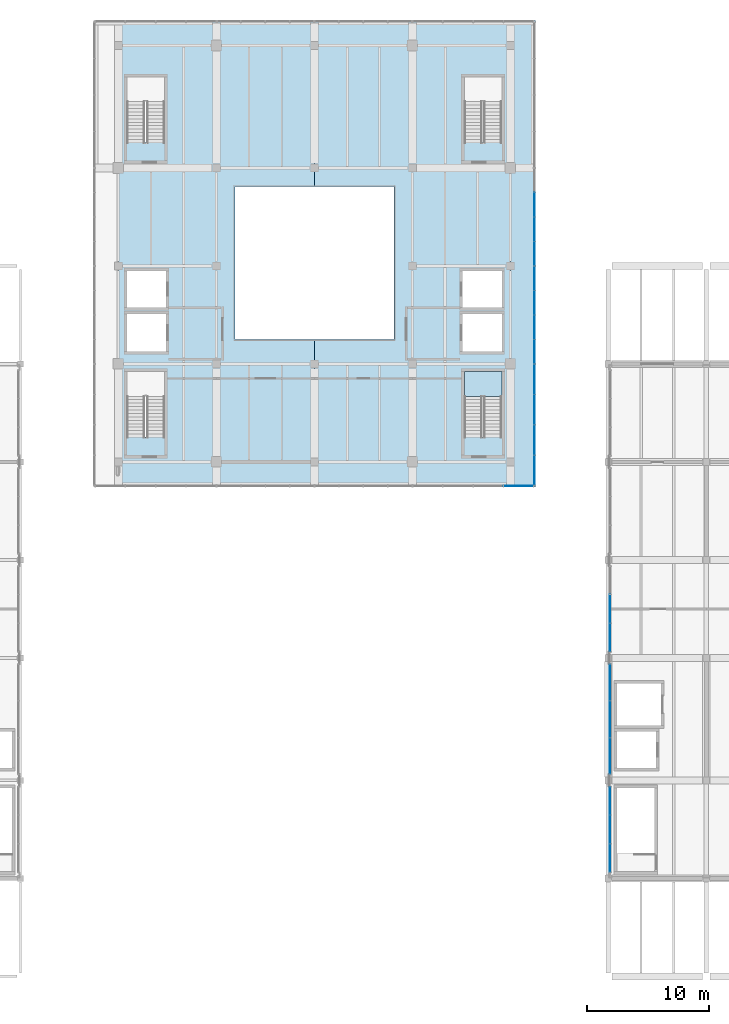
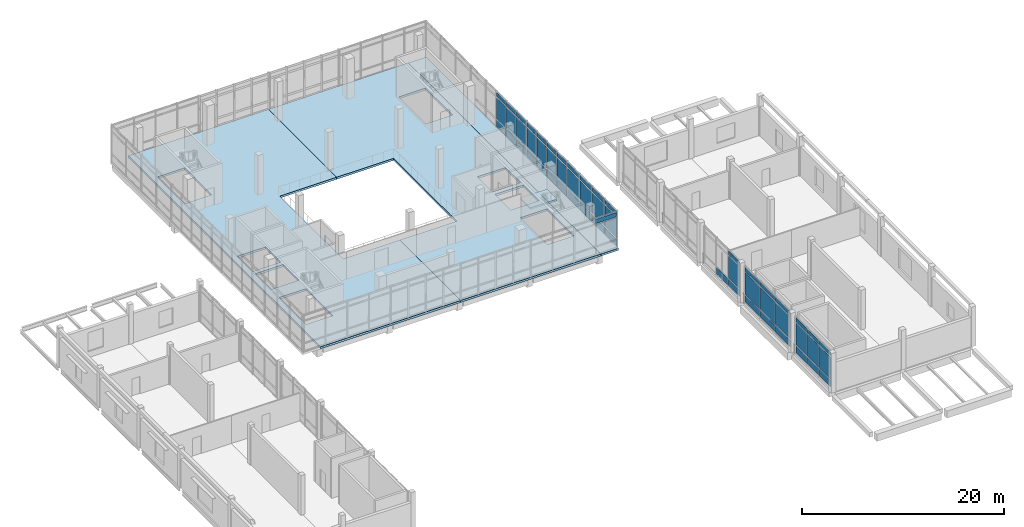
# One storey, part 17 of 28: 56 plates, 4 slabs, 8 elements without a shape of their own.
"""IFC4 building model written with IfcOpenShell, lengths in metres."""

from ifc_helpers import new_model, si_unit, direction, frame, origin, origin_2d, place, context, subcontext, project, spatial, polyline, rectangle, outline, extrude, material, layer, layer_set, type_object, element, aggregate, save


model = new_model("IFC4")

# Units and contexts
model_context = context("Model", 3, precision=1e-05, world=origin(), true_north=direction((0.0, 1.0)))
body_context = subcontext(model_context, "Body", "Model", "MODEL_VIEW")
ifc_project = project(units=[si_unit("LENGTHUNIT", "METRE"), si_unit("AREAUNIT", "SQUARE_METRE"), si_unit("VOLUMEUNIT", "CUBIC_METRE"), si_unit("PLANEANGLEUNIT", "RADIAN"), si_unit("MASSUNIT", "GRAM", prefix="KILO")], contexts=[model_context])

# Site, building, storey
site_placement = place(None, origin())
site = spatial("IfcSite", under=ifc_project, at=site_placement, CompositionType="ELEMENT")
building_placement = place(site_placement, origin())
building = spatial("IfcBuilding", under=site, at=building_placement, Name="Pecanmere Concourse Central Library", CompositionType="ELEMENT")
storey_placement = place(building_placement, frame((0.0, 0.0, 20.10009765625)))
storey = spatial("IfcBuildingStorey", under=building, at=storey_placement, Name="L05", CompositionType="ELEMENT", Elevation=20.10009765625)

# Curtain wall, plates
ifc_material_1 = material(Name="Anodized bronze aluminium alloy 6063-T6", Category="aluminium")
curtain_wall_type_1 = type_object("IfcCurtainWallType", Name="CW_PLUMB_BANDED", PredefinedType="USERDEFINED", material=ifc_material_1)
curtain_wall_1_placement = place(storey_placement, origin())
curtain_wall_1 = element("IfcCurtainWall", 1, at=curtain_wall_1_placement, inside=storey, type_object=curtain_wall_type_1, Name="Unitised Curtain Wall CW-02 L05-062", ObjectType="UNITISED CURTAIN WALL", PredefinedType="USERDEFINED")
ifc_material_2 = material(Name="White ceramic-fritted insulated spandrel glazing", Category="glass")
ifc_layer_1 = layer(ifc_material_2, 0.053955078125, Name="CWP_SPN_54")
ifc_layer_set_1 = layer_set([ifc_layer_1], Name="White ceramic-fritted insulated spandrel glazing")
plate_type_1 = type_object("IfcPlateType", Name="CWP_SPN_54", PredefinedType="CURTAIN_PANEL", material=ifc_layer_set_1)
plate_1_placement = place(storey_placement, frame((105.96142578125, 89.334228515625, 0.159912109375), z_axis=(0.0, 0.0, 1.0), x_axis=(0.0, 1.0, 0.0)))
plate_1 = element("IfcPlate", 2, at=plate_1_placement, type_object=plate_type_1, Name="CW-02 Spandrel Panel 1.1", PredefinedType="CURTAIN_PANEL", context=body_context, shape_type="SweptSolid", body=[
    extrude(rectangle(XDim=2.381591796875, YDim=0.035888671875, at=origin_2d()), origin(), (0.0, 0.0, 1.0), 0.81005859375),
])
plate_2_placement = place(storey_placement, frame((105.96142578125, 91.797119140625, 0.159912109375), z_axis=(0.0, 0.0, 1.0), x_axis=(0.0, 1.0, 0.0)))
plate_2 = element("IfcPlate", 3, at=plate_2_placement, type_object=plate_type_1, Name="CW-02 Spandrel Panel 2.1", PredefinedType="CURTAIN_PANEL", context=body_context, shape_type="SweptSolid", body=[
    extrude(rectangle(XDim=2.4140625, YDim=0.035888671875, at=origin_2d()), origin(), (0.0, 0.0, 1.0), 0.81005859375),
])
plate_3_placement = place(storey_placement, frame((105.96142578125, 94.2763671875, 0.159912109375), z_axis=(0.0, 0.0, 1.0), x_axis=(0.0, 1.0, 0.0)))
plate_3 = element("IfcPlate", 4, at=plate_3_placement, type_object=plate_type_1, Name="CW-02 Spandrel Panel 3.1", PredefinedType="CURTAIN_PANEL", context=body_context, shape_type="SweptSolid", body=[
    extrude(rectangle(XDim=2.4140625, YDim=0.035888671875, at=origin_2d()), origin(), (0.0, 0.0, 1.0), 0.81005859375),
])
plate_4_placement = place(storey_placement, frame((105.96142578125, 96.7392578125, 0.159912109375), z_axis=(0.0, 0.0, 1.0), x_axis=(0.0, 1.0, 0.0)))
plate_4 = element("IfcPlate", 5, at=plate_4_placement, type_object=plate_type_1, Name="CW-02 Spandrel Panel 4.1", PredefinedType="CURTAIN_PANEL", context=body_context, shape_type="SweptSolid", body=[
    extrude(rectangle(XDim=2.381591796875, YDim=0.035888671875, at=origin_2d()), origin(), (0.0, 0.0, 1.0), 0.81005859375),
])

curtain_wall_2_placement = place(storey_placement, origin())
curtain_wall_2 = element("IfcCurtainWall", 6, at=curtain_wall_2_placement, inside=storey, type_object=curtain_wall_type_1, Name="Unitised Curtain Wall CW-02 L05-063", ObjectType="UNITISED CURTAIN WALL", PredefinedType="USERDEFINED")
plate_5_placement = place(storey_placement, frame((105.96142578125, 99.02001953125, 0.159912109375), z_axis=(0.0, 0.0, 1.0), x_axis=(0.0, 1.0, 0.0)))
plate_5 = element("IfcPlate", 7, at=plate_5_placement, type_object=plate_type_1, Name="CW-02 Spandrel Panel 1.1", PredefinedType="CURTAIN_PANEL", context=body_context, shape_type="SweptSolid", body=[
    extrude(rectangle(XDim=1.89990234375, YDim=0.035888671875, at=origin_2d()), origin(), (0.0, 0.0, 1.0), 0.81005859375),
])
plate_6_placement = place(storey_placement, frame((105.96142578125, 101.001220703125, 0.159912109375), z_axis=(0.0, 0.0, 1.0), x_axis=(0.0, 1.0, 0.0)))
plate_6 = element("IfcPlate", 8, at=plate_6_placement, type_object=plate_type_1, Name="CW-02 Spandrel Panel 2.1", PredefinedType="CURTAIN_PANEL", context=body_context, shape_type="SweptSolid", body=[
    extrude(rectangle(XDim=1.9326171875, YDim=0.035888671875, at=origin_2d()), origin(), (0.0, 0.0, 1.0), 0.81005859375),
])
plate_7_placement = place(storey_placement, frame((105.96142578125, 102.998779296875, 0.159912109375), z_axis=(0.0, 0.0, 1.0), x_axis=(0.0, 1.0, 0.0)))
plate_7 = element("IfcPlate", 9, at=plate_7_placement, type_object=plate_type_1, Name="CW-02 Spandrel Panel 3.1", PredefinedType="CURTAIN_PANEL", context=body_context, shape_type="SweptSolid", body=[
    extrude(rectangle(XDim=1.9326171875, YDim=0.035888671875, at=origin_2d()), origin(), (0.0, 0.0, 1.0), 0.81005859375),
])
plate_8_placement = place(storey_placement, frame((105.96142578125, 104.97998046875, 0.159912109375), z_axis=(0.0, 0.0, 1.0), x_axis=(0.0, 1.0, 0.0)))
plate_8 = element("IfcPlate", 10, at=plate_8_placement, type_object=plate_type_1, Name="CW-02 Spandrel Panel 4.1", PredefinedType="CURTAIN_PANEL", context=body_context, shape_type="SweptSolid", body=[
    extrude(rectangle(XDim=1.89990234375, YDim=0.035888671875, at=origin_2d()), origin(), (0.0, 0.0, 1.0), 0.81005859375),
])

curtain_wall_3_placement = place(storey_placement, origin())
curtain_wall_3 = element("IfcCurtainWall", 11, at=curtain_wall_3_placement, inside=storey, type_object=curtain_wall_type_1, Name="Unitised Curtain Wall CW-02 L05-064", ObjectType="UNITISED CURTAIN WALL", PredefinedType="USERDEFINED")
plate_9_placement = place(storey_placement, frame((105.96142578125, 107.02001953125, 0.159912109375), z_axis=(0.0, 0.0, 1.0), x_axis=(0.0, 1.0, 0.0)))
plate_9 = element("IfcPlate", 12, at=plate_9_placement, type_object=plate_type_1, Name="CW-02 Spandrel Panel 1.1", PredefinedType="CURTAIN_PANEL", context=body_context, shape_type="SweptSolid", body=[
    extrude(rectangle(XDim=1.89990234375, YDim=0.035888671875, at=origin_2d()), origin(), (0.0, 0.0, 1.0), 0.81005859375),
])
plate_10_placement = place(storey_placement, frame((105.96142578125, 109.001220703125, 0.159912109375), z_axis=(0.0, 0.0, 1.0), x_axis=(0.0, 1.0, 0.0)))
plate_10 = element("IfcPlate", 13, at=plate_10_placement, type_object=plate_type_1, Name="CW-02 Spandrel Panel 2.1", PredefinedType="CURTAIN_PANEL", context=body_context, shape_type="SweptSolid", body=[
    extrude(rectangle(XDim=1.9326171875, YDim=0.035888671875, at=origin_2d()), origin(), (0.0, 0.0, 1.0), 0.81005859375),
])
plate_11_placement = place(storey_placement, frame((105.96142578125, 110.998779296875, 0.159912109375), z_axis=(0.0, 0.0, 1.0), x_axis=(0.0, 1.0, 0.0)))
plate_11 = element("IfcPlate", 14, at=plate_11_placement, type_object=plate_type_1, Name="CW-02 Spandrel Panel 3.1", PredefinedType="CURTAIN_PANEL", context=body_context, shape_type="SweptSolid", body=[
    extrude(rectangle(XDim=1.9326171875, YDim=0.035888671875, at=origin_2d()), origin(), (0.0, 0.0, 1.0), 0.81005859375),
])

ifc_material_3 = material(Name="Clear anodized aluminium alloy 6063-T6", Category="aluminium")
curtain_wall_type_2 = type_object("IfcCurtainWallType", Name="CW_CLOISTER_GLAZ", PredefinedType="USERDEFINED", material=ifc_material_3)
curtain_wall_4_placement = place(storey_placement, origin())
curtain_wall_4 = element("IfcCurtainWall", 15, at=curtain_wall_4_placement, inside=storey, type_object=curtain_wall_type_2, Name="Unitised Curtain Wall CW-04 L05-153", ObjectType="UNITISED CURTAIN WALL", PredefinedType="USERDEFINED")
plate_12_placement = place(storey_placement, frame((112.14990234375, 62.331787109375, 0.139892578125), z_axis=(0.0, 0.0, 1.0), x_axis=(0.0, -1.0, 0.0)))
plate_12 = element("IfcPlate", 16, at=plate_12_placement, type_object=plate_type_1, Name="CW-04 Spandrel Panel 1.1", PredefinedType="CURTAIN_PANEL", context=body_context, shape_type="SweptSolid", body=[
    extrude(rectangle(XDim=2.256591796875, YDim=0.035888671875, at=origin_2d()), origin(), (0.0, 0.0, 1.0), 0.7900390625),
])
plate_13_placement = place(storey_placement, frame((112.14990234375, 60.0, 0.139892578125), z_axis=(0.0, 0.0, 1.0), x_axis=(0.0, -1.0, 0.0)))
plate_13 = element("IfcPlate", 17, at=plate_13_placement, type_object=plate_type_1, Name="CW-04 Spandrel Panel 2.1", PredefinedType="CURTAIN_PANEL", context=body_context, shape_type="SweptSolid", body=[
    extrude(rectangle(XDim=2.28662109375, YDim=0.035888671875, at=origin_2d()), origin(), (0.0, 0.0, 1.0), 0.7900390625),
])
plate_14_placement = place(storey_placement, frame((112.14990234375, 57.668212890625, 0.139892578125), z_axis=(0.0, 0.0, 1.0), x_axis=(0.0, -1.0, 0.0)))
plate_14 = element("IfcPlate", 18, at=plate_14_placement, type_object=plate_type_1, Name="CW-04 Spandrel Panel 3.1", PredefinedType="CURTAIN_PANEL", context=body_context, shape_type="SweptSolid", body=[
    extrude(rectangle(XDim=2.256591796875, YDim=0.035888671875, at=origin_2d()), origin(), (0.0, 0.0, 1.0), 0.7900390625),
])

curtain_wall_5_placement = place(storey_placement, origin())
curtain_wall_5 = element("IfcCurtainWall", 19, at=curtain_wall_5_placement, inside=storey, type_object=curtain_wall_type_2, Name="Unitised Curtain Wall CW-04 L05-155", ObjectType="UNITISED CURTAIN WALL", PredefinedType="USERDEFINED")
plate_15_placement = place(storey_placement, frame((112.14990234375, 71.998291015625, 0.139892578125), z_axis=(0.0, 0.0, 1.0), x_axis=(0.0, -1.0, 0.0)))
plate_15 = element("IfcPlate", 20, at=plate_15_placement, type_object=plate_type_1, Name="CW-04 Spandrel Panel 1.1", PredefinedType="CURTAIN_PANEL", context=body_context, shape_type="SweptSolid", body=[
    extrude(rectangle(XDim=2.92333984375, YDim=0.035888671875, at=origin_2d()), origin(), (0.0, 0.0, 1.0), 0.7900390625),
])
plate_16_placement = place(storey_placement, frame((112.14990234375, 69.0, 0.139892578125), z_axis=(0.0, 0.0, 1.0), x_axis=(0.0, -1.0, 0.0)))
plate_16 = element("IfcPlate", 21, at=plate_16_placement, type_object=plate_type_1, Name="CW-04 Spandrel Panel 2.1", PredefinedType="CURTAIN_PANEL", context=body_context, shape_type="SweptSolid", body=[
    extrude(rectangle(XDim=2.953369140625, YDim=0.035888671875, at=origin_2d()), origin(), (0.0, 0.0, 1.0), 0.7900390625),
])
plate_17_placement = place(storey_placement, frame((112.14990234375, 66.001708984375, 0.139892578125), z_axis=(0.0, 0.0, 1.0), x_axis=(0.0, -1.0, 0.0)))
plate_17 = element("IfcPlate", 22, at=plate_17_placement, type_object=plate_type_1, Name="CW-04 Spandrel Panel 3.1", PredefinedType="CURTAIN_PANEL", context=body_context, shape_type="SweptSolid", body=[
    extrude(rectangle(XDim=2.92333984375, YDim=0.035888671875, at=origin_2d()), origin(), (0.0, 0.0, 1.0), 0.7900390625),
])

curtain_wall_6_placement = place(storey_placement, origin())
curtain_wall_6 = element("IfcCurtainWall", 23, at=curtain_wall_6_placement, inside=storey, type_object=curtain_wall_type_2, Name="Unitised Curtain Wall CW-04 L05-157", ObjectType="UNITISED CURTAIN WALL", PredefinedType="USERDEFINED")
plate_18_placement = place(storey_placement, frame((112.14990234375, 78.0, 0.139892578125), z_axis=(0.0, 0.0, 1.0), x_axis=(0.0, -1.0, 0.0)))
plate_18 = element("IfcPlate", 24, at=plate_18_placement, type_object=plate_type_1, Name="CW-04 Spandrel Panel 2.1", PredefinedType="CURTAIN_PANEL", context=body_context, shape_type="SweptSolid", body=[
    extrude(rectangle(XDim=2.28662109375, YDim=0.035888671875, at=origin_2d()), origin(), (0.0, 0.0, 1.0), 0.7900390625),
])
plate_19_placement = place(storey_placement, frame((112.14990234375, 75.668212890625, 0.139892578125), z_axis=(0.0, 0.0, 1.0), x_axis=(0.0, -1.0, 0.0)))
plate_19 = element("IfcPlate", 25, at=plate_19_placement, type_object=plate_type_1, Name="CW-04 Spandrel Panel 3.1", PredefinedType="CURTAIN_PANEL", context=body_context, shape_type="SweptSolid", body=[
    extrude(rectangle(XDim=2.256591796875, YDim=0.035888671875, at=origin_2d()), origin(), (0.0, 0.0, 1.0), 0.7900390625),
])

# Curtain wall, plate
curtain_wall_7_placement = place(storey_placement, origin())
curtain_wall_7 = element("IfcCurtainWall", 26, at=curtain_wall_7_placement, inside=storey, type_object=curtain_wall_type_1, Name="Unitised Curtain Wall CW-02 L05-061", ObjectType="UNITISED CURTAIN WALL", PredefinedType="USERDEFINED")
ifc_material_4 = material(Name="Low-iron clear insulated glazing", Category="glass")
ifc_layer_2 = layer(ifc_material_4, 0.035888671875, Name="CWP_VIS_36")
ifc_layer_set_2 = layer_set([ifc_layer_2], Name="Low-iron clear insulated glazing")
plate_type_2 = type_object("IfcPlateType", Name="CWP_VIS_36", PredefinedType="CURTAIN_PANEL", material=ifc_layer_set_2)
plate_20_placement = place(storey_placement, frame((104.665771484375, 88.03857421875, 3.830078125), z_axis=(0.0, 0.0, 1.0), x_axis=(1.0, 0.0, 0.0)))
plate_20 = element("IfcPlate", 27, at=plate_20_placement, type_object=plate_type_2, Name="CW-02 Vision Panel 4.3", PredefinedType="CURTAIN_PANEL", context=body_context, shape_type="SweptSolid", body=[
    extrude(rectangle(XDim=2.381591796875, YDim=0.035888671875, at=origin_2d()), origin(), (0.0, 0.0, 1.0), 0.510009765625),
])
aggregate(curtain_wall_7, [plate_20])

# Plate
plate_21_placement = place(storey_placement, frame((105.96142578125, 89.334228515625, 1.1298828125), z_axis=(0.0, 0.0, 1.0), x_axis=(0.0, 1.0, 0.0)))
plate_21 = element("IfcPlate", 28, at=plate_21_placement, type_object=plate_type_2, Name="CW-02 Vision Panel 1.2", PredefinedType="CURTAIN_PANEL", context=body_context, shape_type="SweptSolid", body=[
    extrude(rectangle(XDim=2.381591796875, YDim=0.035888671875, at=origin_2d()), origin(), (0.0, 0.0, 1.0), 2.5400390625),
])

plate_22_placement = place(storey_placement, frame((105.96142578125, 89.334228515625, 3.830078125), z_axis=(0.0, 0.0, 1.0), x_axis=(0.0, 1.0, 0.0)))
plate_22 = element("IfcPlate", 29, at=plate_22_placement, type_object=plate_type_2, Name="CW-02 Vision Panel 1.3", PredefinedType="CURTAIN_PANEL", context=body_context, shape_type="SweptSolid", body=[
    extrude(rectangle(XDim=2.381591796875, YDim=0.035888671875, at=origin_2d()), origin(), (0.0, 0.0, 1.0), 0.510009765625),
])

plate_23_placement = place(storey_placement, frame((105.96142578125, 91.797119140625, 1.1298828125), z_axis=(0.0, 0.0, 1.0), x_axis=(0.0, 1.0, 0.0)))
plate_23 = element("IfcPlate", 30, at=plate_23_placement, type_object=plate_type_2, Name="CW-02 Vision Panel 2.2", PredefinedType="CURTAIN_PANEL", context=body_context, shape_type="SweptSolid", body=[
    extrude(rectangle(XDim=2.4140625, YDim=0.035888671875, at=origin_2d()), origin(), (0.0, 0.0, 1.0), 2.5400390625),
])

plate_24_placement = place(storey_placement, frame((105.96142578125, 91.797119140625, 3.830078125), z_axis=(0.0, 0.0, 1.0), x_axis=(0.0, 1.0, 0.0)))
plate_24 = element("IfcPlate", 31, at=plate_24_placement, type_object=plate_type_2, Name="CW-02 Vision Panel 2.3", PredefinedType="CURTAIN_PANEL", context=body_context, shape_type="SweptSolid", body=[
    extrude(rectangle(XDim=2.4140625, YDim=0.035888671875, at=origin_2d()), origin(), (0.0, 0.0, 1.0), 0.510009765625),
])

plate_25_placement = place(storey_placement, frame((105.96142578125, 94.2763671875, 1.1298828125), z_axis=(0.0, 0.0, 1.0), x_axis=(0.0, 1.0, 0.0)))
plate_25 = element("IfcPlate", 32, at=plate_25_placement, type_object=plate_type_2, Name="CW-02 Vision Panel 3.2", PredefinedType="CURTAIN_PANEL", context=body_context, shape_type="SweptSolid", body=[
    extrude(rectangle(XDim=2.4140625, YDim=0.035888671875, at=origin_2d()), origin(), (0.0, 0.0, 1.0), 2.5400390625),
])

plate_26_placement = place(storey_placement, frame((105.96142578125, 94.2763671875, 3.830078125), z_axis=(0.0, 0.0, 1.0), x_axis=(0.0, 1.0, 0.0)))
plate_26 = element("IfcPlate", 33, at=plate_26_placement, type_object=plate_type_2, Name="CW-02 Vision Panel 3.3", PredefinedType="CURTAIN_PANEL", context=body_context, shape_type="SweptSolid", body=[
    extrude(rectangle(XDim=2.4140625, YDim=0.035888671875, at=origin_2d()), origin(), (0.0, 0.0, 1.0), 0.510009765625),
])

plate_27_placement = place(storey_placement, frame((105.96142578125, 96.7392578125, 1.1298828125), z_axis=(0.0, 0.0, 1.0), x_axis=(0.0, 1.0, 0.0)))
plate_27 = element("IfcPlate", 34, at=plate_27_placement, type_object=plate_type_2, Name="CW-02 Vision Panel 4.2", PredefinedType="CURTAIN_PANEL", context=body_context, shape_type="SweptSolid", body=[
    extrude(rectangle(XDim=2.381591796875, YDim=0.035888671875, at=origin_2d()), origin(), (0.0, 0.0, 1.0), 2.5400390625),
])

plate_28_placement = place(storey_placement, frame((105.96142578125, 96.7392578125, 3.830078125), z_axis=(0.0, 0.0, 1.0), x_axis=(0.0, 1.0, 0.0)))
plate_28 = element("IfcPlate", 35, at=plate_28_placement, type_object=plate_type_2, Name="CW-02 Vision Panel 4.3", PredefinedType="CURTAIN_PANEL", context=body_context, shape_type="SweptSolid", body=[
    extrude(rectangle(XDim=2.381591796875, YDim=0.035888671875, at=origin_2d()), origin(), (0.0, 0.0, 1.0), 0.510009765625),
])

aggregate(curtain_wall_1, [plate_1, plate_21, plate_22, plate_2, plate_23, plate_24, plate_3, plate_25, plate_26, plate_4, plate_27, plate_28])

plate_29_placement = place(storey_placement, frame((105.96142578125, 99.02001953125, 1.1298828125), z_axis=(0.0, 0.0, 1.0), x_axis=(0.0, 1.0, 0.0)))
plate_29 = element("IfcPlate", 36, at=plate_29_placement, type_object=plate_type_2, Name="CW-02 Vision Panel 1.2", PredefinedType="CURTAIN_PANEL", context=body_context, shape_type="SweptSolid", body=[
    extrude(rectangle(XDim=1.89990234375, YDim=0.035888671875, at=origin_2d()), origin(), (0.0, 0.0, 1.0), 2.5400390625),
])

plate_30_placement = place(storey_placement, frame((105.96142578125, 99.02001953125, 3.830078125), z_axis=(0.0, 0.0, 1.0), x_axis=(0.0, 1.0, 0.0)))
plate_30 = element("IfcPlate", 37, at=plate_30_placement, type_object=plate_type_2, Name="CW-02 Vision Panel 1.3", PredefinedType="CURTAIN_PANEL", context=body_context, shape_type="SweptSolid", body=[
    extrude(rectangle(XDim=1.89990234375, YDim=0.035888671875, at=origin_2d()), origin(), (0.0, 0.0, 1.0), 0.510009765625),
])

plate_31_placement = place(storey_placement, frame((105.96142578125, 101.001220703125, 1.1298828125), z_axis=(0.0, 0.0, 1.0), x_axis=(0.0, 1.0, 0.0)))
plate_31 = element("IfcPlate", 38, at=plate_31_placement, type_object=plate_type_2, Name="CW-02 Vision Panel 2.2", PredefinedType="CURTAIN_PANEL", context=body_context, shape_type="SweptSolid", body=[
    extrude(rectangle(XDim=1.9326171875, YDim=0.035888671875, at=origin_2d()), origin(), (0.0, 0.0, 1.0), 2.5400390625),
])

plate_32_placement = place(storey_placement, frame((105.96142578125, 101.001220703125, 3.830078125), z_axis=(0.0, 0.0, 1.0), x_axis=(0.0, 1.0, 0.0)))
plate_32 = element("IfcPlate", 39, at=plate_32_placement, type_object=plate_type_2, Name="CW-02 Vision Panel 2.3", PredefinedType="CURTAIN_PANEL", context=body_context, shape_type="SweptSolid", body=[
    extrude(rectangle(XDim=1.9326171875, YDim=0.035888671875, at=origin_2d()), origin(), (0.0, 0.0, 1.0), 0.510009765625),
])

plate_33_placement = place(storey_placement, frame((105.96142578125, 102.998779296875, 1.1298828125), z_axis=(0.0, 0.0, 1.0), x_axis=(0.0, 1.0, 0.0)))
plate_33 = element("IfcPlate", 40, at=plate_33_placement, type_object=plate_type_2, Name="CW-02 Vision Panel 3.2", PredefinedType="CURTAIN_PANEL", context=body_context, shape_type="SweptSolid", body=[
    extrude(rectangle(XDim=1.9326171875, YDim=0.035888671875, at=origin_2d()), origin(), (0.0, 0.0, 1.0), 2.5400390625),
])

plate_34_placement = place(storey_placement, frame((105.96142578125, 102.998779296875, 3.830078125), z_axis=(0.0, 0.0, 1.0), x_axis=(0.0, 1.0, 0.0)))
plate_34 = element("IfcPlate", 41, at=plate_34_placement, type_object=plate_type_2, Name="CW-02 Vision Panel 3.3", PredefinedType="CURTAIN_PANEL", context=body_context, shape_type="SweptSolid", body=[
    extrude(rectangle(XDim=1.9326171875, YDim=0.035888671875, at=origin_2d()), origin(), (0.0, 0.0, 1.0), 0.510009765625),
])

plate_35_placement = place(storey_placement, frame((105.96142578125, 104.97998046875, 1.1298828125), z_axis=(0.0, 0.0, 1.0), x_axis=(0.0, 1.0, 0.0)))
plate_35 = element("IfcPlate", 42, at=plate_35_placement, type_object=plate_type_2, Name="CW-02 Vision Panel 4.2", PredefinedType="CURTAIN_PANEL", context=body_context, shape_type="SweptSolid", body=[
    extrude(rectangle(XDim=1.89990234375, YDim=0.035888671875, at=origin_2d()), origin(), (0.0, 0.0, 1.0), 2.5400390625),
])

plate_36_placement = place(storey_placement, frame((105.96142578125, 104.97998046875, 3.830078125), z_axis=(0.0, 0.0, 1.0), x_axis=(0.0, 1.0, 0.0)))
plate_36 = element("IfcPlate", 43, at=plate_36_placement, type_object=plate_type_2, Name="CW-02 Vision Panel 4.3", PredefinedType="CURTAIN_PANEL", context=body_context, shape_type="SweptSolid", body=[
    extrude(rectangle(XDim=1.89990234375, YDim=0.035888671875, at=origin_2d()), origin(), (0.0, 0.0, 1.0), 0.510009765625),
])

aggregate(curtain_wall_2, [plate_5, plate_29, plate_30, plate_6, plate_31, plate_32, plate_7, plate_33, plate_34, plate_8, plate_35, plate_36])

plate_37_placement = place(storey_placement, frame((105.96142578125, 107.02001953125, 1.1298828125), z_axis=(0.0, 0.0, 1.0), x_axis=(0.0, 1.0, 0.0)))
plate_37 = element("IfcPlate", 44, at=plate_37_placement, type_object=plate_type_2, Name="CW-02 Vision Panel 1.2", PredefinedType="CURTAIN_PANEL", context=body_context, shape_type="SweptSolid", body=[
    extrude(rectangle(XDim=1.89990234375, YDim=0.035888671875, at=origin_2d()), origin(), (0.0, 0.0, 1.0), 2.5400390625),
])

plate_38_placement = place(storey_placement, frame((105.96142578125, 107.02001953125, 3.830078125), z_axis=(0.0, 0.0, 1.0), x_axis=(0.0, 1.0, 0.0)))
plate_38 = element("IfcPlate", 45, at=plate_38_placement, type_object=plate_type_2, Name="CW-02 Vision Panel 1.3", PredefinedType="CURTAIN_PANEL", context=body_context, shape_type="SweptSolid", body=[
    extrude(rectangle(XDim=1.89990234375, YDim=0.035888671875, at=origin_2d()), origin(), (0.0, 0.0, 1.0), 0.510009765625),
])

plate_39_placement = place(storey_placement, frame((105.96142578125, 109.001220703125, 1.1298828125), z_axis=(0.0, 0.0, 1.0), x_axis=(0.0, 1.0, 0.0)))
plate_39 = element("IfcPlate", 46, at=plate_39_placement, type_object=plate_type_2, Name="CW-02 Vision Panel 2.2", PredefinedType="CURTAIN_PANEL", context=body_context, shape_type="SweptSolid", body=[
    extrude(rectangle(XDim=1.9326171875, YDim=0.035888671875, at=origin_2d()), origin(), (0.0, 0.0, 1.0), 2.5400390625),
])

plate_40_placement = place(storey_placement, frame((105.96142578125, 109.001220703125, 3.830078125), z_axis=(0.0, 0.0, 1.0), x_axis=(0.0, 1.0, 0.0)))
plate_40 = element("IfcPlate", 47, at=plate_40_placement, type_object=plate_type_2, Name="CW-02 Vision Panel 2.3", PredefinedType="CURTAIN_PANEL", context=body_context, shape_type="SweptSolid", body=[
    extrude(rectangle(XDim=1.9326171875, YDim=0.035888671875, at=origin_2d()), origin(), (0.0, 0.0, 1.0), 0.510009765625),
])

plate_41_placement = place(storey_placement, frame((105.96142578125, 110.998779296875, 1.1298828125), z_axis=(0.0, 0.0, 1.0), x_axis=(0.0, 1.0, 0.0)))
plate_41 = element("IfcPlate", 48, at=plate_41_placement, type_object=plate_type_2, Name="CW-02 Vision Panel 3.2", PredefinedType="CURTAIN_PANEL", context=body_context, shape_type="SweptSolid", body=[
    extrude(rectangle(XDim=1.9326171875, YDim=0.035888671875, at=origin_2d()), origin(), (0.0, 0.0, 1.0), 2.5400390625),
])

plate_42_placement = place(storey_placement, frame((105.96142578125, 110.998779296875, 3.830078125), z_axis=(0.0, 0.0, 1.0), x_axis=(0.0, 1.0, 0.0)))
plate_42 = element("IfcPlate", 49, at=plate_42_placement, type_object=plate_type_2, Name="CW-02 Vision Panel 3.3", PredefinedType="CURTAIN_PANEL", context=body_context, shape_type="SweptSolid", body=[
    extrude(rectangle(XDim=1.9326171875, YDim=0.035888671875, at=origin_2d()), origin(), (0.0, 0.0, 1.0), 0.510009765625),
])

aggregate(curtain_wall_3, [plate_9, plate_37, plate_38, plate_10, plate_39, plate_40, plate_11, plate_41, plate_42])

plate_43_placement = place(storey_placement, frame((112.14990234375, 62.331787109375, 1.06982421875), z_axis=(0.0, 0.0, 1.0), x_axis=(0.0, -1.0, 0.0)))
plate_43 = element("IfcPlate", 50, at=plate_43_placement, type_object=plate_type_2, Name="CW-04 Vision Panel 1.2", PredefinedType="CURTAIN_PANEL", context=body_context, shape_type="SweptSolid", body=[
    extrude(rectangle(XDim=2.256591796875, YDim=0.035888671875, at=origin_2d()), origin(), (0.0, 0.0, 1.0), 2.659912109375),
])

plate_44_placement = place(storey_placement, frame((112.14990234375, 62.331787109375, 3.8701171875), z_axis=(0.0, 0.0, 1.0), x_axis=(0.0, -1.0, 0.0)))
plate_44 = element("IfcPlate", 51, at=plate_44_placement, type_object=plate_type_2, Name="CW-04 Vision Panel 1.3", PredefinedType="CURTAIN_PANEL", context=body_context, shape_type="SweptSolid", body=[
    extrude(rectangle(XDim=2.256591796875, YDim=0.035888671875, at=origin_2d()), origin(), (0.0, 0.0, 1.0), 0.489990234375),
])

plate_45_placement = place(storey_placement, frame((112.14990234375, 60.0, 1.06982421875), z_axis=(0.0, 0.0, 1.0), x_axis=(0.0, -1.0, 0.0)))
plate_45 = element("IfcPlate", 52, at=plate_45_placement, type_object=plate_type_2, Name="CW-04 Vision Panel 2.2", PredefinedType="CURTAIN_PANEL", context=body_context, shape_type="SweptSolid", body=[
    extrude(rectangle(XDim=2.28662109375, YDim=0.035888671875, at=origin_2d()), origin(), (0.0, 0.0, 1.0), 2.659912109375),
])

plate_46_placement = place(storey_placement, frame((112.14990234375, 60.0, 3.8701171875), z_axis=(0.0, 0.0, 1.0), x_axis=(0.0, -1.0, 0.0)))
plate_46 = element("IfcPlate", 53, at=plate_46_placement, type_object=plate_type_2, Name="CW-04 Vision Panel 2.3", PredefinedType="CURTAIN_PANEL", context=body_context, shape_type="SweptSolid", body=[
    extrude(rectangle(XDim=2.28662109375, YDim=0.035888671875, at=origin_2d()), origin(), (0.0, 0.0, 1.0), 0.489990234375),
])

plate_47_placement = place(storey_placement, frame((112.14990234375, 57.668212890625, 1.06982421875), z_axis=(0.0, 0.0, 1.0), x_axis=(0.0, -1.0, 0.0)))
plate_47 = element("IfcPlate", 54, at=plate_47_placement, type_object=plate_type_2, Name="CW-04 Vision Panel 3.2", PredefinedType="CURTAIN_PANEL", context=body_context, shape_type="SweptSolid", body=[
    extrude(rectangle(XDim=2.256591796875, YDim=0.035888671875, at=origin_2d()), origin(), (0.0, 0.0, 1.0), 2.659912109375),
])

plate_48_placement = place(storey_placement, frame((112.14990234375, 57.668212890625, 3.8701171875), z_axis=(0.0, 0.0, 1.0), x_axis=(0.0, -1.0, 0.0)))
plate_48 = element("IfcPlate", 55, at=plate_48_placement, type_object=plate_type_2, Name="CW-04 Vision Panel 3.3", PredefinedType="CURTAIN_PANEL", context=body_context, shape_type="SweptSolid", body=[
    extrude(rectangle(XDim=2.256591796875, YDim=0.035888671875, at=origin_2d()), origin(), (0.0, 0.0, 1.0), 0.489990234375),
])

aggregate(curtain_wall_4, [plate_12, plate_43, plate_44, plate_13, plate_45, plate_46, plate_14, plate_47, plate_48])

plate_49_placement = place(storey_placement, frame((112.14990234375, 71.998291015625, 1.06982421875), z_axis=(0.0, 0.0, 1.0), x_axis=(0.0, -1.0, 0.0)))
plate_49 = element("IfcPlate", 56, at=plate_49_placement, type_object=plate_type_2, Name="CW-04 Vision Panel 1.2", PredefinedType="CURTAIN_PANEL", context=body_context, shape_type="SweptSolid", body=[
    extrude(rectangle(XDim=2.92333984375, YDim=0.035888671875, at=origin_2d()), origin(), (0.0, 0.0, 1.0), 2.659912109375),
])

plate_50_placement = place(storey_placement, frame((112.14990234375, 71.998291015625, 3.8701171875), z_axis=(0.0, 0.0, 1.0), x_axis=(0.0, -1.0, 0.0)))
plate_50 = element("IfcPlate", 57, at=plate_50_placement, type_object=plate_type_2, Name="CW-04 Vision Panel 1.3", PredefinedType="CURTAIN_PANEL", context=body_context, shape_type="SweptSolid", body=[
    extrude(rectangle(XDim=2.92333984375, YDim=0.035888671875, at=origin_2d()), origin(), (0.0, 0.0, 1.0), 0.489990234375),
])

plate_51_placement = place(storey_placement, frame((112.14990234375, 69.0, 1.06982421875), z_axis=(0.0, 0.0, 1.0), x_axis=(0.0, -1.0, 0.0)))
plate_51 = element("IfcPlate", 58, at=plate_51_placement, type_object=plate_type_2, Name="CW-04 Vision Panel 2.2", PredefinedType="CURTAIN_PANEL", context=body_context, shape_type="SweptSolid", body=[
    extrude(rectangle(XDim=2.953369140625, YDim=0.035888671875, at=origin_2d()), origin(), (0.0, 0.0, 1.0), 2.659912109375),
])

plate_52_placement = place(storey_placement, frame((112.14990234375, 69.0, 3.8701171875), z_axis=(0.0, 0.0, 1.0), x_axis=(0.0, -1.0, 0.0)))
plate_52 = element("IfcPlate", 59, at=plate_52_placement, type_object=plate_type_2, Name="CW-04 Vision Panel 2.3", PredefinedType="CURTAIN_PANEL", context=body_context, shape_type="SweptSolid", body=[
    extrude(rectangle(XDim=2.953369140625, YDim=0.035888671875, at=origin_2d()), origin(), (0.0, 0.0, 1.0), 0.489990234375),
])

plate_53_placement = place(storey_placement, frame((112.14990234375, 66.001708984375, 1.06982421875), z_axis=(0.0, 0.0, 1.0), x_axis=(0.0, -1.0, 0.0)))
plate_53 = element("IfcPlate", 60, at=plate_53_placement, type_object=plate_type_2, Name="CW-04 Vision Panel 3.2", PredefinedType="CURTAIN_PANEL", context=body_context, shape_type="SweptSolid", body=[
    extrude(rectangle(XDim=2.92333984375, YDim=0.035888671875, at=origin_2d()), origin(), (0.0, 0.0, 1.0), 2.659912109375),
])

plate_54_placement = place(storey_placement, frame((112.14990234375, 66.001708984375, 3.8701171875), z_axis=(0.0, 0.0, 1.0), x_axis=(0.0, -1.0, 0.0)))
plate_54 = element("IfcPlate", 61, at=plate_54_placement, type_object=plate_type_2, Name="CW-04 Vision Panel 3.3", PredefinedType="CURTAIN_PANEL", context=body_context, shape_type="SweptSolid", body=[
    extrude(rectangle(XDim=2.92333984375, YDim=0.035888671875, at=origin_2d()), origin(), (0.0, 0.0, 1.0), 0.489990234375),
])

aggregate(curtain_wall_5, [plate_15, plate_49, plate_50, plate_16, plate_51, plate_52, plate_17, plate_53, plate_54])

plate_55_placement = place(storey_placement, frame((112.14990234375, 75.668212890625, 1.06982421875), z_axis=(0.0, 0.0, 1.0), x_axis=(0.0, -1.0, 0.0)))
plate_55 = element("IfcPlate", 62, at=plate_55_placement, type_object=plate_type_2, Name="CW-04 Vision Panel 3.2", PredefinedType="CURTAIN_PANEL", context=body_context, shape_type="SweptSolid", body=[
    extrude(rectangle(XDim=2.256591796875, YDim=0.035888671875, at=origin_2d()), origin(), (0.0, 0.0, 1.0), 2.659912109375),
])

plate_56_placement = place(storey_placement, frame((112.14990234375, 75.668212890625, 3.8701171875), z_axis=(0.0, 0.0, 1.0), x_axis=(0.0, -1.0, 0.0)))
plate_56 = element("IfcPlate", 63, at=plate_56_placement, type_object=plate_type_2, Name="CW-04 Vision Panel 3.3", PredefinedType="CURTAIN_PANEL", context=body_context, shape_type="SweptSolid", body=[
    extrude(rectangle(XDim=2.256591796875, YDim=0.035888671875, at=origin_2d()), origin(), (0.0, 0.0, 1.0), 0.489990234375),
])

aggregate(curtain_wall_6, [plate_18, plate_19, plate_55, plate_56])

# Stair, slab
ifc_material_5 = material(Name="Concrete C35/45", Category="concrete")
stair_type = type_object("IfcStairType", Name="STAIR_TYPE_ST-02-1846", PredefinedType="USERDEFINED", material=ifc_material_5)
stair_placement = place(storey_placement, origin())
stair = element("IfcStair", 64, at=stair_placement, inside=storey, type_object=stair_type, Name="L05 Protected Stair ST-02", ObjectType="TWO_RETURN_STAIR", PredefinedType="USERDEFINED")
ifc_material_6 = material(Name="Concrete C35/45", Category="concrete")
ifc_layer_3 = layer(ifc_material_6, 0.199951171875, Name="SLAB_LANDING_200")
ifc_layer_set_3 = layer_set([ifc_layer_3], Name="Concrete C35/45")
slab_type_1 = type_object("IfcSlabType", Name="SLAB_LANDING_200", PredefinedType="LANDING", material=ifc_layer_set_3)
slab_1_placement = place(storey_placement, frame((0.0, 0.0, 2.199951171875)))
slab_1 = element("IfcSlab", 65, at=slab_1_placement, type_object=slab_type_1, Name="ST-02-1846 landing 1", PredefinedType="LANDING", context=body_context, shape_type="SweptSolid", body=[
    extrude(outline(polyline([(103.300048828125, 95.360107421875), (103.300048828125, 97.3701171875), (100.239990234375, 97.3701171875), (100.239990234375, 95.360107421875), (103.300048828125, 95.360107421875)])), origin(), (0.0, 0.0, 1.0), 0.199951171875),
])
aggregate(stair, [slab_1])

# Slabs
ifc_material_7 = material(Name="Concrete C35/45", Category="concrete")
ifc_layer_4 = layer(ifc_material_7, 0.25, Name="SLAB_READ_250")
ifc_layer_set_4 = layer_set([ifc_layer_4], Name="Concrete C35/45")
slab_type_2 = type_object("IfcSlabType", Name="SLAB_READ_250", PredefinedType="FLOOR", material=ifc_layer_set_4)
slab_2_placement = place(storey_placement, frame((0.0, 0.0, -0.25)))
element("IfcSlab", 66, at=slab_2_placement, inside=storey, type_object=slab_type_2, Name="Floor Slab V1 L05-133", PredefinedType="FLOOR", context=body_context, shape_type="SweptSolid", body=[
    extrude(outline(polyline([(72.0, 87.95849609375), (72.0, 126.04150390625), (88.0, 126.04150390625), (88.0, 112.5), (81.5, 112.5), (81.5, 100.0), (88.0, 100.0), (88.0, 87.95849609375), (72.0, 87.95849609375)]), holes=[polyline([(75.760009765625, 97.3701171875), (72.699951171875, 97.3701171875), (72.699951171875, 92.030029296875), (75.760009765625, 92.030029296875), (75.760009765625, 97.3701171875)]), polyline([(75.89990234375, 102.10009765625), (72.699951171875, 102.10009765625), (72.699951171875, 99.0), (75.89990234375, 99.0), (75.89990234375, 102.10009765625)]), polyline([(75.89990234375, 105.60009765625), (72.699951171875, 105.60009765625), (72.699951171875, 102.60009765625), (75.89990234375, 102.60009765625), (75.89990234375, 105.60009765625)]), polyline([(75.760009765625, 121.419921875), (72.699951171875, 121.419921875), (72.699951171875, 116.080078125), (75.760009765625, 116.080078125), (75.760009765625, 121.419921875)])]), origin(), (0.0, 0.0, 1.0), 0.25),
])
slab_3_placement = place(storey_placement, frame((0.0, 0.0, -0.25)))
element("IfcSlab", 67, at=slab_3_placement, inside=storey, type_object=slab_type_2, Name="Floor Slab V1 L05-134", PredefinedType="FLOOR", context=body_context, shape_type="SweptSolid", body=[
    extrude(outline(polyline([(88.0, 87.95849609375), (88.0, 100.0), (94.5, 100.0), (94.5, 112.5), (88.0, 112.5), (88.0, 126.04150390625), (104.0, 126.04150390625), (104.0, 87.95849609375), (88.0, 87.95849609375)]), holes=[polyline([(103.300048828125, 97.3701171875), (100.239990234375, 97.3701171875), (100.239990234375, 92.030029296875), (103.300048828125, 92.030029296875), (103.300048828125, 97.3701171875)]), polyline([(103.300048828125, 102.10009765625), (100.10009765625, 102.10009765625), (100.10009765625, 99.0), (103.300048828125, 99.0), (103.300048828125, 102.10009765625)]), polyline([(103.300048828125, 105.60009765625), (100.10009765625, 105.60009765625), (100.10009765625, 102.60009765625), (103.300048828125, 102.60009765625), (103.300048828125, 105.60009765625)]), polyline([(103.300048828125, 121.419921875), (100.239990234375, 121.419921875), (100.239990234375, 116.080078125), (103.300048828125, 116.080078125), (103.300048828125, 121.419921875)])]), origin(), (0.0, 0.0, 1.0), 0.25),
])
slab_4_placement = place(storey_placement, frame((0.0, 0.0, -0.25)))
element("IfcSlab", 68, at=slab_4_placement, inside=storey, type_object=slab_type_2, Name="Floor Slab V1 L05-135", PredefinedType="FLOOR", context=body_context, shape_type="SweptSolid", body=[
    extrude(outline(polyline([(104.0, 126.04150390625), (106.04150390625, 126.04150390625), (106.04150390625, 89.55859375), (105.96142578125, 89.55859375), (105.96142578125, 88.95849609375), (106.04150390625, 88.95849609375), (106.04150390625, 87.95849609375), (104.0, 87.95849609375), (104.0, 126.04150390625)])), origin(), (0.0, 0.0, 1.0), 0.25),
])

save(model, "model.ifc")
